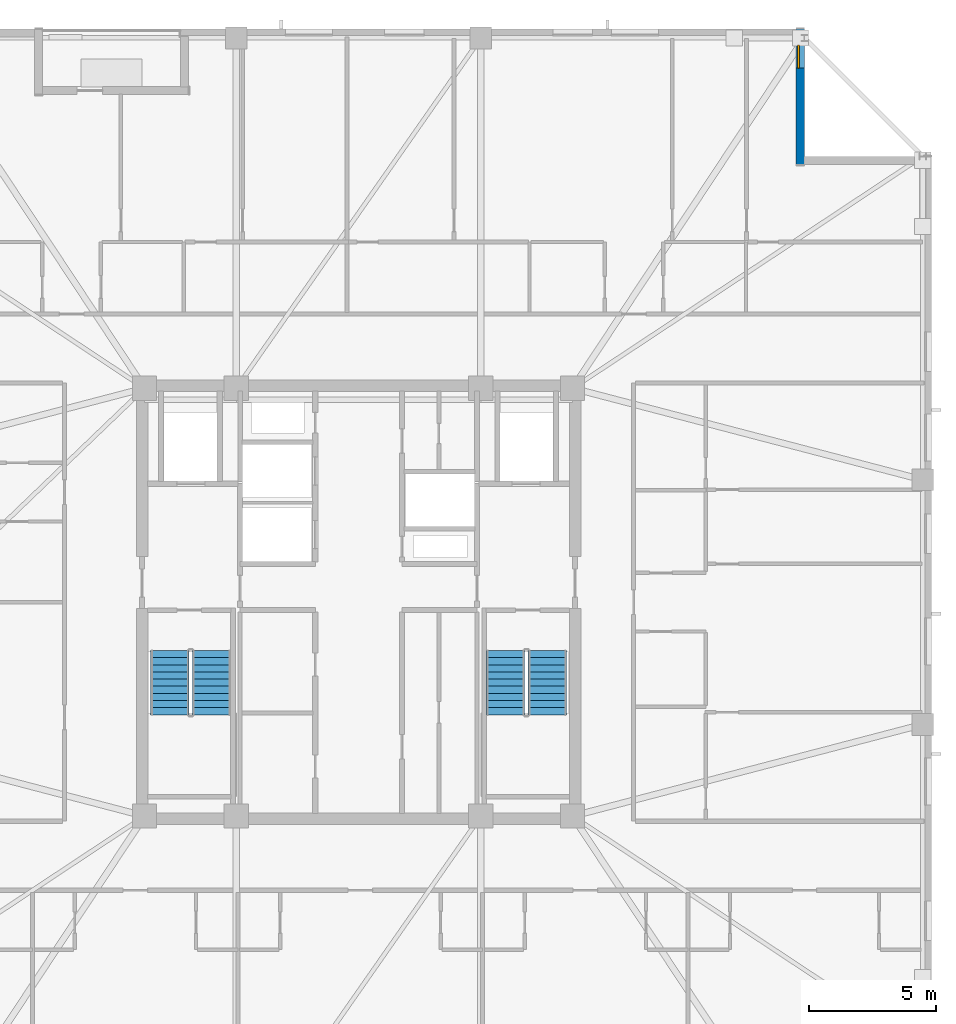
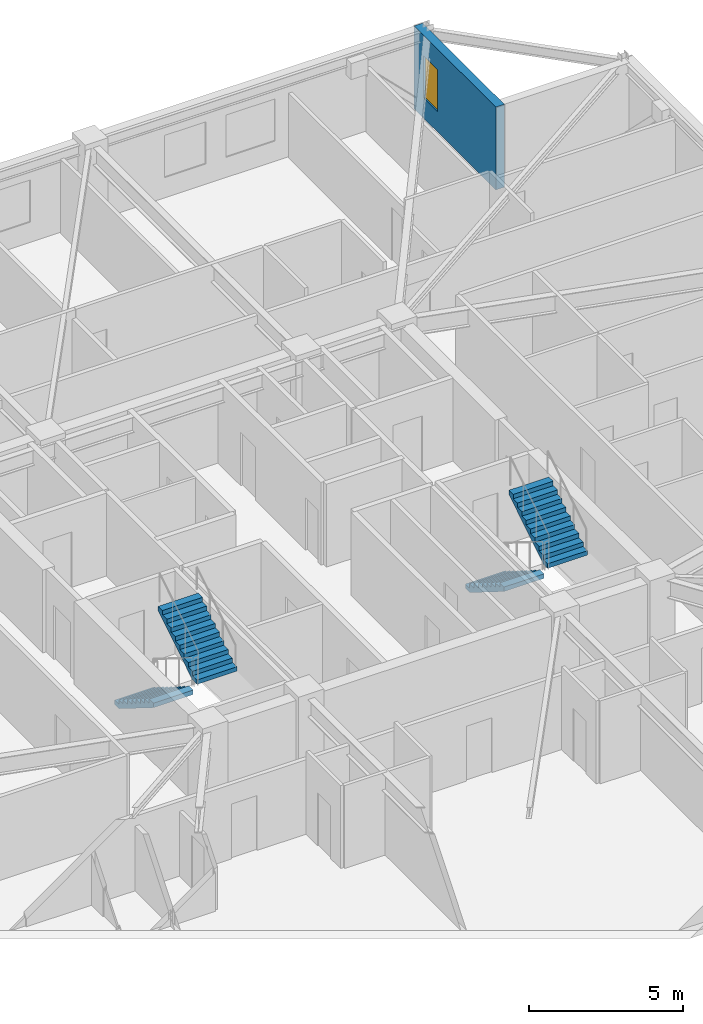
# One storey, part 12 of 17: 4 stair flights, 1 wall, 1 window, 1 opening, 2 elements without a shape of their own.
"""IFC4 building model written with IfcOpenShell, lengths in metres."""

from ifc_helpers import new_model, si_unit, direction, frame, frame_2d, origin, place, context, subcontext, project, spatial, polyline, rectangle, outline, extrude, material, layer, layer_set, type_object, element, fill, aggregate, save


model = new_model("IFC4")

# Units and contexts
model_context = context("Model", 3, precision=1e-05, world=origin(), true_north=direction((0.0, 1.0)))
body_context = subcontext(model_context, "Body", "Model", "MODEL_VIEW")
ifc_project = project(units=[si_unit("LENGTHUNIT", "METRE"), si_unit("AREAUNIT", "SQUARE_METRE"), si_unit("VOLUMEUNIT", "CUBIC_METRE"), si_unit("PLANEANGLEUNIT", "RADIAN"), si_unit("MASSUNIT", "GRAM", prefix="KILO")], contexts=[model_context])

# Site, building, storey
site_placement = place(None, origin())
site = spatial("IfcSite", under=ifc_project, at=site_placement, CompositionType="ELEMENT")
building_placement = place(site_placement, origin())
building = spatial("IfcBuilding", under=site, at=building_placement, Name="Cairnveth Concourse Tower", CompositionType="ELEMENT")
storey_placement = place(building_placement, frame((0.0, 0.0, 216.5)))
storey = spatial("IfcBuildingStorey", under=building, at=storey_placement, Name="L59", CompositionType="ELEMENT", Elevation=216.5)

# Wall, opening, window
ifc_material_1 = material(Name="Melbourne Buff Fired Clay Brick Masonry", Category="masonry")
ifc_layer = layer(ifc_material_1, 0.320068359375)
ifc_layer_set = layer_set([ifc_layer], Name="Melbourne Buff Fired Clay Brick Masonry")
wall_type = type_object("IfcWallType", Name="ZONE 3 BRICK PIER SPANDREL WALL 320", PredefinedType="SOLIDWALL", material=ifc_layer_set)
wall_placement = place(storey_placement, frame((69.340087890625, 61.5, 0.0), z_axis=(0.0, 0.0, 1.0), x_axis=(0.0, -1.0, 0.0)))
wall = element("IfcWall", 1, at=wall_placement, inside=storey, type_object=wall_type, Name="Exterior Wall EW-L59-S01", PredefinedType="SOLIDWALL", context=body_context, shape_type="SweptSolid", body=[
    extrude(rectangle(XDim=5.320068359375, YDim=0.320068359375, at=frame_2d((2.66015625, 0.0))), origin(), (0.0, 0.0, 1.0), 3.2900390625),
])
opening_placement = place(wall_placement, frame((0.6298828125, 0.0, 0.800048828125)))
opening = element("IfcOpeningElement", 2, at=opening_placement, cuts=wall, Name="Opening W13", PredefinedType="OPENING", context=body_context, shape_type="SweptSolid", body=[
    extrude(rectangle(XDim=0.89990234375, YDim=1.677978515625, at=frame_2d((0.449951171875, 0.8388671875))), frame((0.0, 0.169921875, 0.0), z_axis=(0.0, -1.0, 0.0), x_axis=(1.0, 0.0, 0.0)), (0.0, 0.0, 1.0), 0.340087890625),
])
ifc_material_2 = material(Name="Double Glazed Low-E Clear Glass", Category="glass")
window_type = type_object("IfcWindowType", Name="DEEP-SET BEDROOM LANCET WINDOW 900X1750", PartitioningType="DOUBLE_PANEL_VERTICAL", PredefinedType="WINDOW", material=ifc_material_2)
window_placement = place(opening_placement, origin())
window = element("IfcWindow", 3, at=window_placement, inside=storey, type_object=window_type, Name="Dwelling Lancet Window L59-DW4", OverallHeight=1.677978515625, OverallWidth=0.89990234375, PartitioningType="SINGLE_PANEL", PredefinedType="WINDOW", context=body_context, shape_type="SweptSolid", body=[
    extrude(rectangle(XDim=0.89990234375, YDim=1.677978515625, at=frame_2d((0.449951171875, 0.8388671875))), frame((0.0, -0.0400390625, 0.0), z_axis=(0.0, -1.0, 0.0), x_axis=(1.0, 0.0, 0.0)), (0.0, 0.0, 1.0), 0.06005859375),
])
fill(opening, window)

# Stair, stair flights
ifc_material_3 = material(Name="Precast concrete N50 (50 MPa)", Category="concrete")
stair_type = type_object("IfcStairType", Name="CORE DOG-LEG FIRE STAIR 1500", PredefinedType="HALF_TURN_STAIR", material=ifc_material_3)
stair_1_placement = place(storey_placement, origin())
stair_1 = element("IfcStair", 4, at=stair_1_placement, inside=storey, type_object=stair_type, Name="L59 Fire-Isolated Stair ST-1", PredefinedType="HALF_TURN_STAIR")
stair_flight_type = type_object("IfcStairFlightType", Name="PRECAST CONCRETE STAIR FLIGHT 1500", PredefinedType="STRAIGHT", material=ifc_material_3)
stair_flight_1_placement = place(storey_placement, frame((44.590087890625, 37.10009765625, 0.0), z_axis=(0.0, 0.0, 1.0), x_axis=(0.0, -1.0, 0.0)))
stair_flight_1 = element("IfcStairFlight", 5, at=stair_flight_1_placement, type_object=stair_flight_type, Name="ST-1 flight 1", NumberOfRisers=10, NumberOfTreads=9, PredefinedType="STRAIGHT", RiserHeight=0.175, TreadLength=0.28, context=body_context, shape_type="SweptSolid", body=[
    extrude(outline(polyline([(0.0, 0.0), (0.0, 0.175048828125), (0.280029296875, 0.175048828125), (0.280029296875, 0.35009765625), (0.56005859375, 0.35009765625), (0.56005859375, 0.52490234375), (0.840087890625, 0.52490234375), (0.840087890625, 0.699951171875), (1.1201171875, 0.699951171875), (1.1201171875, 0.875), (1.39990234375, 0.875), (1.39990234375, 1.050048828125), (1.679931640625, 1.050048828125), (1.679931640625, 1.22509765625), (1.9599609375, 1.22509765625), (1.9599609375, 1.39990234375), (2.239990234375, 1.39990234375), (2.239990234375, 1.574951171875), (2.52001953125, 1.574951171875), (2.52001953125, 1.75), (2.52001953125, 1.398193359375), (0.28271484375, 0.0), (0.0, 0.0)])), frame((0.0, 0.75, 0.0), z_axis=(0.0, -1.0, 0.0), x_axis=(1.0, 0.0, 0.0)), (0.0, 0.0, 1.0), 1.5),
])
stair_flight_2_placement = place(storey_placement, frame((46.22998046875, 34.580078125, 1.75), z_axis=(0.0, 0.0, 1.0), x_axis=(0.0, 1.0, 0.0)))
stair_flight_2 = element("IfcStairFlight", 6, at=stair_flight_2_placement, type_object=stair_flight_type, Name="ST-1 flight 2", NumberOfRisers=10, NumberOfTreads=9, PredefinedType="STRAIGHT", RiserHeight=0.175, TreadLength=0.28, context=body_context, shape_type="SweptSolid", body=[
    extrude(outline(polyline([(0.0, 0.0), (0.0, 0.175048828125), (0.280029296875, 0.175048828125), (0.280029296875, 0.35009765625), (0.56005859375, 0.35009765625), (0.56005859375, 0.52490234375), (0.840087890625, 0.52490234375), (0.840087890625, 0.699951171875), (1.1201171875, 0.699951171875), (1.1201171875, 0.875), (1.39990234375, 0.875), (1.39990234375, 1.050048828125), (1.679931640625, 1.050048828125), (1.679931640625, 1.22509765625), (1.9599609375, 1.22509765625), (1.9599609375, 1.39990234375), (2.239990234375, 1.39990234375), (2.239990234375, 1.574951171875), (2.52001953125, 1.574951171875), (2.52001953125, 1.75), (2.52001953125, 1.398193359375), (0.28271484375, 0.0), (0.0, 0.0)])), frame((0.0, 0.75, 0.0), z_axis=(0.0, -1.0, 0.0), x_axis=(1.0, 0.0, 0.0)), (0.0, 0.0, 1.0), 1.5),
])
aggregate(stair_1, [stair_flight_1, stair_flight_2])

stair_2_placement = place(storey_placement, origin())
stair_2 = element("IfcStair", 7, at=stair_2_placement, inside=storey, type_object=stair_type, Name="L59 Fire-Isolated Stair ST-2", PredefinedType="HALF_TURN_STAIR")
stair_flight_3_placement = place(storey_placement, frame((57.77001953125, 37.10009765625, 0.0), z_axis=(0.0, 0.0, 1.0), x_axis=(0.0, -1.0, 0.0)))
stair_flight_3 = element("IfcStairFlight", 8, at=stair_flight_3_placement, type_object=stair_flight_type, Name="ST-2 flight 1", NumberOfRisers=10, NumberOfTreads=9, PredefinedType="STRAIGHT", RiserHeight=0.175, TreadLength=0.28, context=body_context, shape_type="SweptSolid", body=[
    extrude(outline(polyline([(0.0, 0.0), (0.0, 0.175048828125), (0.280029296875, 0.175048828125), (0.280029296875, 0.35009765625), (0.56005859375, 0.35009765625), (0.56005859375, 0.52490234375), (0.840087890625, 0.52490234375), (0.840087890625, 0.699951171875), (1.1201171875, 0.699951171875), (1.1201171875, 0.875), (1.39990234375, 0.875), (1.39990234375, 1.050048828125), (1.679931640625, 1.050048828125), (1.679931640625, 1.22509765625), (1.9599609375, 1.22509765625), (1.9599609375, 1.39990234375), (2.239990234375, 1.39990234375), (2.239990234375, 1.574951171875), (2.52001953125, 1.574951171875), (2.52001953125, 1.75), (2.52001953125, 1.398193359375), (0.28271484375, 0.0), (0.0, 0.0)])), frame((0.0, 0.75, 0.0), z_axis=(0.0, -1.0, 0.0), x_axis=(1.0, 0.0, 0.0)), (0.0, 0.0, 1.0), 1.5),
])
stair_flight_4_placement = place(storey_placement, frame((59.409912109375, 34.580078125, 1.75), z_axis=(0.0, 0.0, 1.0), x_axis=(0.0, 1.0, 0.0)))
stair_flight_4 = element("IfcStairFlight", 9, at=stair_flight_4_placement, type_object=stair_flight_type, Name="ST-2 flight 2", NumberOfRisers=10, NumberOfTreads=9, PredefinedType="STRAIGHT", RiserHeight=0.175, TreadLength=0.28, context=body_context, shape_type="SweptSolid", body=[
    extrude(outline(polyline([(0.0, 0.0), (0.0, 0.175048828125), (0.280029296875, 0.175048828125), (0.280029296875, 0.35009765625), (0.56005859375, 0.35009765625), (0.56005859375, 0.52490234375), (0.840087890625, 0.52490234375), (0.840087890625, 0.699951171875), (1.1201171875, 0.699951171875), (1.1201171875, 0.875), (1.39990234375, 0.875), (1.39990234375, 1.050048828125), (1.679931640625, 1.050048828125), (1.679931640625, 1.22509765625), (1.9599609375, 1.22509765625), (1.9599609375, 1.39990234375), (2.239990234375, 1.39990234375), (2.239990234375, 1.574951171875), (2.52001953125, 1.574951171875), (2.52001953125, 1.75), (2.52001953125, 1.398193359375), (0.28271484375, 0.0), (0.0, 0.0)])), frame((0.0, 0.75, 0.0), z_axis=(0.0, -1.0, 0.0), x_axis=(1.0, 0.0, 0.0)), (0.0, 0.0, 1.0), 1.5),
])
aggregate(stair_2, [stair_flight_3, stair_flight_4])

save(model, "model.ifc")
